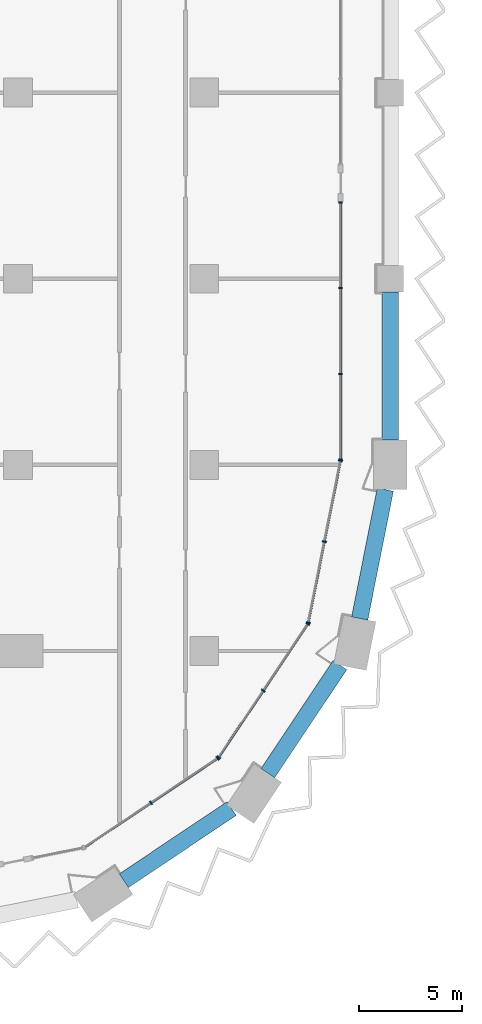
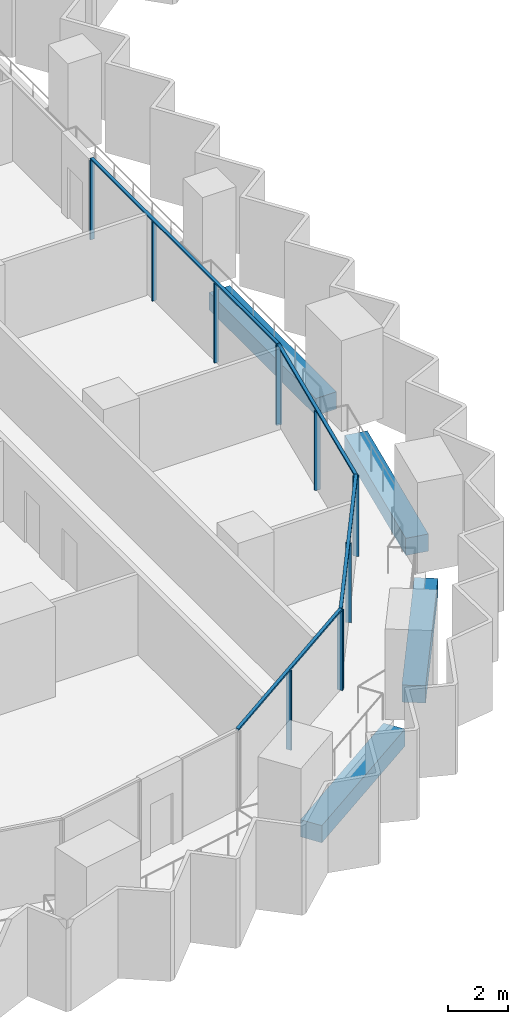
# One storey, part 3 of 28: 16 members, 4 beams, 4 elements without a shape of their own.
"""IFC4 building model written with IfcOpenShell, lengths in metres."""

from ifc_helpers import new_model, si_unit, direction, frame, origin, origin_2d, place, context, subcontext, project, spatial, rectangle, extrude, material, material_profile, profile_set, type_object, element, aggregate, save


model = new_model("IFC4")

# Units and contexts
model_context = context("Model", 3, precision=1e-05, world=origin(), true_north=direction((0.0, 1.0)))
body_context = subcontext(model_context, "Body", "Model", "MODEL_VIEW")
ifc_project = project(units=[si_unit("LENGTHUNIT", "METRE"), si_unit("AREAUNIT", "SQUARE_METRE"), si_unit("VOLUMEUNIT", "CUBIC_METRE"), si_unit("PLANEANGLEUNIT", "RADIAN"), si_unit("MASSUNIT", "GRAM", prefix="KILO")], contexts=[model_context])

# Site, building, storey
site_placement = place(None, origin())
site = spatial("IfcSite", under=ifc_project, at=site_placement, CompositionType="ELEMENT")
building_placement = place(site_placement, origin())
building = spatial("IfcBuilding", under=site, at=building_placement, Name="Hunhe Ridgeline Campus", CompositionType="ELEMENT")
storey_placement = place(building_placement, frame((0.0, 0.0, 39.5)))
storey = spatial("IfcBuildingStorey", under=building, at=storey_placement, Name="L08", CompositionType="ELEMENT", Elevation=39.5)

# Curtain wall, members
ifc_material_1 = material(Name="Aluminium 6063", Category="aluminium")
curtain_wall_type_1 = type_object("IfcCurtainWallType", Name="Curtain wall CW-1", PredefinedType="NOTDEFINED", material=ifc_material_1)
curtain_wall_1_placement = place(storey_placement, origin())
curtain_wall_1 = element("IfcCurtainWall", 1, at=curtain_wall_1_placement, inside=storey, type_object=curtain_wall_type_1, Name="Curtain wall 11", PredefinedType="NOTDEFINED")
ifc_material_profile_1 = material_profile(ifc_material_1, rectangle(XDim=0.159912109375, YDim=0.06005859375, at=origin_2d()))
ifc_profile_set_1 = profile_set([ifc_material_profile_1], Name="Aluminium 6063")
member_type_1 = type_object("IfcMemberType", Name="CW-1 aluminium mullion", PredefinedType="MULLION", material=ifc_profile_set_1)
member_1_placement = place(storey_placement, frame((42.59912109375, 27.266357421875, 0.0), z_axis=(0.0, 0.0, 1.0), x_axis=(-1.0, 1.60239e-07, 0.0)))
member_1 = element("IfcMember", 2, at=member_1_placement, type_object=member_type_1, Name="CW-1 mullion 1", PredefinedType="MULLION", context=body_context, shape_type="SweptSolid", body=[
    extrude(rectangle(XDim=0.159912109375, YDim=0.06005859375, at=origin_2d()), origin(), (0.0, 0.0, 1.0), 3.239990234375),
])
member_2_placement = place(storey_placement, frame((42.59912109375, 31.39697265625, 0.0), z_axis=(0.0, 0.0, 1.0), x_axis=(-1.0, 1.60239e-07, 0.0)))
member_2 = element("IfcMember", 3, at=member_2_placement, type_object=member_type_1, Name="CW-1 mullion 2", PredefinedType="MULLION", context=body_context, shape_type="SweptSolid", body=[
    extrude(rectangle(XDim=0.159912109375, YDim=0.06005859375, at=origin_2d()), origin(), (0.0, 0.0, 1.0), 3.239990234375),
])
member_3_placement = place(storey_placement, frame((42.59912109375, 35.5576171875, 0.0), z_axis=(0.0, 0.0, 1.0), x_axis=(-1.0, 1.60239e-07, 0.0)))
member_3 = element("IfcMember", 4, at=member_3_placement, type_object=member_type_1, Name="CW-1 mullion 3", PredefinedType="MULLION", context=body_context, shape_type="SweptSolid", body=[
    extrude(rectangle(XDim=0.159912109375, YDim=0.06005859375, at=origin_2d()), origin(), (0.0, 0.0, 1.0), 3.239990234375),
])
member_4_placement = place(storey_placement, frame((42.59912109375, 39.688232421875, 0.0), z_axis=(0.0, 0.0, 1.0), x_axis=(-1.0, 1.60239e-07, 0.0)))
member_4 = element("IfcMember", 5, at=member_4_placement, type_object=member_type_1, Name="CW-1 mullion 4", PredefinedType="MULLION", context=body_context, shape_type="SweptSolid", body=[
    extrude(rectangle(XDim=0.159912109375, YDim=0.06005859375, at=origin_2d()), origin(), (0.0, 0.0, 1.0), 3.239990234375),
])
ifc_material_profile_2 = material_profile(ifc_material_1, rectangle(XDim=0.1201171875, YDim=0.06005859375, at=origin_2d()))
ifc_profile_set_2 = profile_set([ifc_material_profile_2], Name="Aluminium 6063")
member_type_2 = type_object("IfcMemberType", Name="CW-1 aluminium transom", PredefinedType="USERDEFINED", material=ifc_profile_set_2)
member_5_placement = place(storey_placement, frame((42.59912109375, 27.236572265625, 3.27001953125), z_axis=(0.0, 1.0, 0.0), x_axis=(-1.0, 0.0, 0.0)))
member_5 = element("IfcMember", 6, at=member_5_placement, type_object=member_type_2, Name="CW-1 transom 1", ObjectType="TRANSOM", PredefinedType="USERDEFINED", context=body_context, shape_type="SweptSolid", body=[
    extrude(rectangle(XDim=0.1201171875, YDim=0.06005859375, at=origin_2d()), origin(), (0.0, 0.0, 1.0), 12.481689453125),
])
aggregate(curtain_wall_1, [member_5, member_1, member_2, member_3, member_4])

curtain_wall_type_2 = type_object("IfcCurtainWallType", Name="Curtain wall CW-5", PredefinedType="NOTDEFINED", material=ifc_material_1)
curtain_wall_2_placement = place(storey_placement, origin())
curtain_wall_2 = element("IfcCurtainWall", 7, at=curtain_wall_2_placement, inside=storey, type_object=curtain_wall_type_2, Name="Curtain wall 08", PredefinedType="NOTDEFINED")
ifc_material_profile_3 = material_profile(ifc_material_1, rectangle(XDim=0.199951171875, YDim=0.070068359375, at=origin_2d()))
ifc_profile_set_3 = profile_set([ifc_material_profile_3], Name="Aluminium 6063")
member_type_3 = type_object("IfcMemberType", Name="CW-5 aluminium mullion", PredefinedType="MULLION", material=ifc_profile_set_3)
member_6_placement = place(storey_placement, frame((33.42626953125, 10.647705078125, 0.0), z_axis=(0.0, 0.0, 1.0), x_axis=(-0.555570274596, 0.831469584522, 0.0)))
member_6 = element("IfcMember", 8, at=member_6_placement, type_object=member_type_3, Name="CW-5 mullion 2", PredefinedType="MULLION", context=body_context, shape_type="SweptSolid", body=[
    extrude(rectangle(XDim=0.199951171875, YDim=0.070068359375, at=origin_2d()), origin(), (0.0, 0.0, 1.0), 3.22998046875),
])
member_7_placement = place(storey_placement, frame((36.649658203125, 12.8017578125, 0.0), z_axis=(0.0, 0.0, 1.0), x_axis=(-0.555570274596, 0.831469584522, 0.0)))
member_7 = element("IfcMember", 9, at=member_7_placement, type_object=member_type_3, Name="CW-5 mullion 3", PredefinedType="MULLION", context=body_context, shape_type="SweptSolid", body=[
    extrude(rectangle(XDim=0.199951171875, YDim=0.070068359375, at=origin_2d()), origin(), (0.0, 0.0, 1.0), 3.22998046875),
])

curtain_wall_3_placement = place(storey_placement, origin())
curtain_wall_3 = element("IfcCurtainWall", 10, at=curtain_wall_3_placement, inside=storey, type_object=curtain_wall_type_2, Name="Curtain wall 09", PredefinedType="NOTDEFINED")
member_8_placement = place(storey_placement, frame((36.6982421875, 12.850341796875, 0.0), z_axis=(0.0, 0.0, 1.0), x_axis=(-0.831469584522, 0.555570274596, 0.0)))
member_8 = element("IfcMember", 11, at=member_8_placement, type_object=member_type_3, Name="CW-5 mullion 1", PredefinedType="MULLION", context=body_context, shape_type="SweptSolid", body=[
    extrude(rectangle(XDim=0.199951171875, YDim=0.070068359375, at=origin_2d()), origin(), (0.0, 0.0, 1.0), 3.22998046875),
])
member_9_placement = place(storey_placement, frame((38.852294921875, 16.07373046875, 0.0), z_axis=(0.0, 0.0, 1.0), x_axis=(-0.831469584522, 0.555570274596, 0.0)))
member_9 = element("IfcMember", 12, at=member_9_placement, type_object=member_type_3, Name="CW-5 mullion 2", PredefinedType="MULLION", context=body_context, shape_type="SweptSolid", body=[
    extrude(rectangle(XDim=0.199951171875, YDim=0.070068359375, at=origin_2d()), origin(), (0.0, 0.0, 1.0), 3.22998046875),
])
member_10_placement = place(storey_placement, frame((41.006103515625, 19.29736328125, 0.0), z_axis=(0.0, 0.0, 1.0), x_axis=(-0.831469584522, 0.555570274596, 0.0)))
member_10 = element("IfcMember", 13, at=member_10_placement, type_object=member_type_3, Name="CW-5 mullion 3", PredefinedType="MULLION", context=body_context, shape_type="SweptSolid", body=[
    extrude(rectangle(XDim=0.199951171875, YDim=0.070068359375, at=origin_2d()), origin(), (0.0, 0.0, 1.0), 3.22998046875),
])

curtain_wall_4_placement = place(storey_placement, origin())
curtain_wall_4 = element("IfcCurtainWall", 14, at=curtain_wall_4_placement, inside=storey, type_object=curtain_wall_type_2, Name="Curtain wall 10", PredefinedType="NOTDEFINED")
member_11_placement = place(storey_placement, frame((41.032470703125, 19.36083984375, 0.0), z_axis=(0.0, 0.0, 1.0), x_axis=(-0.980785284939, 0.195090299215, 0.0)))
member_11 = element("IfcMember", 15, at=member_11_placement, type_object=member_type_3, Name="CW-5 mullion 1", PredefinedType="MULLION", context=body_context, shape_type="SweptSolid", body=[
    extrude(rectangle(XDim=0.199951171875, YDim=0.070068359375, at=origin_2d()), origin(), (0.0, 0.0, 1.0), 3.22998046875),
])
member_12_placement = place(storey_placement, frame((41.812255859375, 23.281494140625, 0.0), z_axis=(0.0, 0.0, 1.0), x_axis=(-0.980785284939, 0.195090299215, 0.0)))
member_12 = element("IfcMember", 16, at=member_12_placement, type_object=member_type_3, Name="CW-5 mullion 2", PredefinedType="MULLION", context=body_context, shape_type="SweptSolid", body=[
    extrude(rectangle(XDim=0.199951171875, YDim=0.070068359375, at=origin_2d()), origin(), (0.0, 0.0, 1.0), 3.22998046875),
])
member_13_placement = place(storey_placement, frame((42.59228515625, 27.2021484375, 0.0), z_axis=(0.0, 0.0, 1.0), x_axis=(-0.980785284939, 0.195090299215, 0.0)))
member_13 = element("IfcMember", 17, at=member_13_placement, type_object=member_type_3, Name="CW-5 mullion 3", PredefinedType="MULLION", context=body_context, shape_type="SweptSolid", body=[
    extrude(rectangle(XDim=0.199951171875, YDim=0.070068359375, at=origin_2d()), origin(), (0.0, 0.0, 1.0), 3.22998046875),
])

# Member
ifc_material_profile_4 = material_profile(ifc_material_1, rectangle(XDim=0.1201171875, YDim=0.070068359375, at=origin_2d()))
ifc_profile_set_4 = profile_set([ifc_material_profile_4], Name="Aluminium 6063")
member_type_4 = type_object("IfcMemberType", Name="CW-5 aluminium transom", PredefinedType="USERDEFINED", material=ifc_profile_set_4)
member_14_placement = place(storey_placement, frame((30.173583984375, 8.474365234375, 3.264892578125), z_axis=(0.831473763475, 0.5555640203, 0.0), x_axis=(-0.5555640203, 0.831473763475, 0.0)))
member_14 = element("IfcMember", 18, at=member_14_placement, type_object=member_type_4, Name="CW-5 transom 1", ObjectType="TRANSOM", PredefinedType="USERDEFINED", context=body_context, shape_type="SweptSolid", body=[
    extrude(rectangle(XDim=0.1201171875, YDim=0.070068359375, at=origin_2d()), origin(), (0.0, 0.0, 1.0), 7.823974609375),
])

aggregate(curtain_wall_2, [member_14, member_6, member_7])

member_15_placement = place(storey_placement, frame((36.678955078125, 12.821044921875, 3.264892578125), z_axis=(0.5555640203, 0.831473763475, 0.0), x_axis=(-0.831473763475, 0.5555640203, 0.0)))
member_15 = element("IfcMember", 19, at=member_15_placement, type_object=member_type_4, Name="CW-5 transom 1", ObjectType="TRANSOM", PredefinedType="USERDEFINED", context=body_context, shape_type="SweptSolid", body=[
    extrude(rectangle(XDim=0.1201171875, YDim=0.070068359375, at=origin_2d()), origin(), (0.0, 0.0, 1.0), 7.823974609375),
])

aggregate(curtain_wall_3, [member_15, member_8, member_9, member_10])

member_16_placement = place(storey_placement, frame((41.025634765625, 19.326416015625, 3.264892578125), z_axis=(0.195097290093, 0.980783894341, 0.0), x_axis=(-0.980783894341, 0.195097290093, 0.0)))
member_16 = element("IfcMember", 20, at=member_16_placement, type_object=member_type_4, Name="CW-5 transom 1", ObjectType="TRANSOM", PredefinedType="USERDEFINED", context=body_context, shape_type="SweptSolid", body=[
    extrude(rectangle(XDim=0.1201171875, YDim=0.070068359375, at=origin_2d()), origin(), (0.0, 0.0, 1.0), 8.065185546875),
])

aggregate(curtain_wall_4, [member_16, member_11, member_12, member_13])

# Beams
ifc_material_2 = material(Name="Concrete C60", Category="concrete")
ifc_material_profile_5 = material_profile(ifc_material_2, rectangle(XDim=0.800048828125, YDim=0.699951171875, at=origin_2d()))
ifc_profile_set_5 = profile_set([ifc_material_profile_5], Name="Concrete C60")
beam_type = type_object("IfcBeamType", Name="RC spandrel beam 800x700 Concrete C60", PredefinedType="SPANDREL", material=ifc_profile_set_5)
for number, where, z_axis, x_axis, name in (
    (21, (32.108154296875, 6.87939453125, -0.60009765625), (0.831469696846, 0.555570106491, 0.0), (-0.555570106491, 0.831469696846, 0.0), "Spandrel beam B1-6 L08"),
    (22, (39.07666015625, 12.087890625, -0.60009765625), (0.555570106491, 0.831469696846, 0.0), (-0.831469696846, 0.555570106491, 0.0), "Spandrel beam B1-7 L08"),
):
    element("IfcBeam", number, at=place(storey_placement, frame(where, z_axis=z_axis, x_axis=x_axis)), inside=storey, type_object=beam_type, Name=name, PredefinedType="SPANDREL", context=body_context, shape_type="SweptSolid", body=[
        extrude(rectangle(XDim=0.800048828125, YDim=0.699951171875, at=origin_2d()), origin(), (0.0, 0.0, 1.0), 6.280029296875),
    ])
beam_1_placement = place(storey_placement, frame((43.521484375, 19.566650390625, -0.60009765625), z_axis=(0.195067021304, 0.980789914915, 0.0), x_axis=(-0.980789914915, 0.195067021304, 0.0)))
element("IfcBeam", 23, at=beam_1_placement, inside=storey, type_object=beam_type, Name="Spandrel beam B1-8 L08", PredefinedType="SPANDREL", context=body_context, shape_type="SweptSolid", body=[
    extrude(rectangle(XDim=0.800048828125, YDim=0.699951171875, at=origin_2d()), origin(), (0.0, 0.0, 1.0), 6.35546875),
])
beam_2_placement = place(storey_placement, frame((45.0, 28.199951171875, -0.60009765625), z_axis=(0.0, 1.0, 0.0), x_axis=(-1.0, 0.0, 0.0)))
element("IfcBeam", 24, at=beam_2_placement, inside=storey, type_object=beam_type, Name="Spandrel beam B1-9 L08", PredefinedType="SPANDREL", context=body_context, shape_type="SweptSolid", body=[
    extrude(rectangle(XDim=0.800048828125, YDim=0.699951171875, at=origin_2d()), origin(), (0.0, 0.0, 1.0), 7.150146484375),
])

save(model, "model.ifc")
